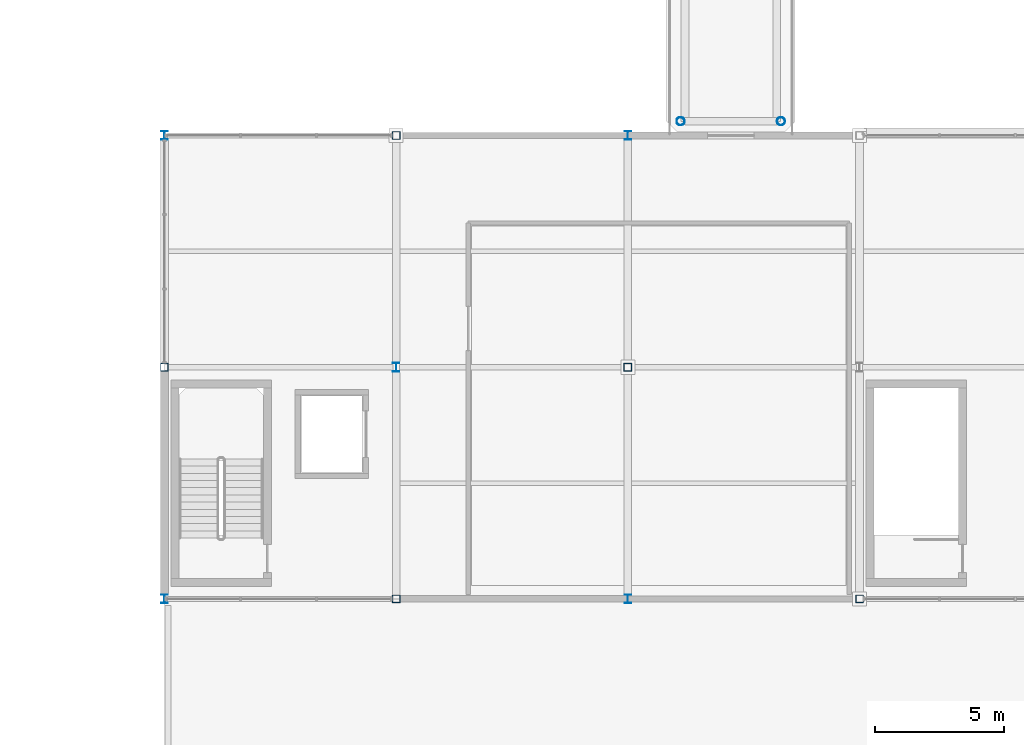
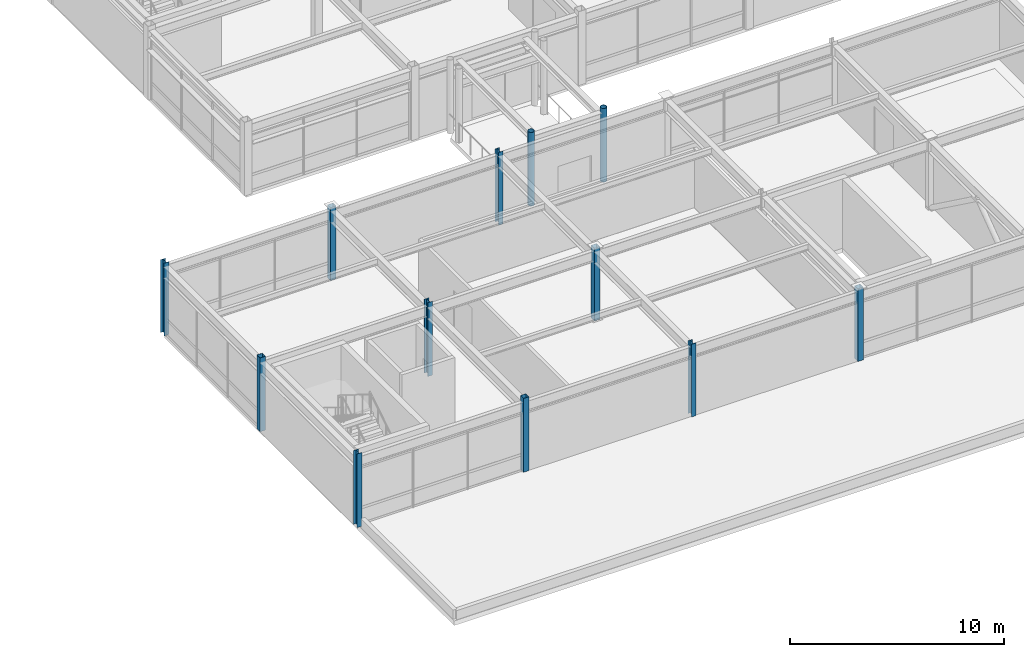
# One storey, part 10 of 70: 12 columns.
"""IFC4 building model written with IfcOpenShell, lengths in metres."""

from ifc_helpers import new_model, si_unit, direction, frame, origin, origin_2d, place, context, subcontext, project, spatial, hollow_rectangle, hollow_circle, i_section, extrude, material, material_profile, profile_set, type_object, element, save


model = new_model("IFC4")

# Units and contexts
model_context = context("Model", 3, precision=1e-05, world=origin(), true_north=direction((0.0, 1.0)))
body_context = subcontext(model_context, "Body", "Model", "MODEL_VIEW")
ifc_project = project(units=[si_unit("LENGTHUNIT", "METRE"), si_unit("AREAUNIT", "SQUARE_METRE"), si_unit("VOLUMEUNIT", "CUBIC_METRE"), si_unit("PLANEANGLEUNIT", "RADIAN"), si_unit("MASSUNIT", "GRAM", prefix="KILO")], contexts=[model_context])

# Site, building, storey
site_placement = place(None, origin())
site = spatial("IfcSite", under=ifc_project, at=site_placement, CompositionType="ELEMENT")
building_placement = place(site_placement, origin())
building = spatial("IfcBuilding", under=site, at=building_placement, Name="Suzunagisa Mobility Hub", CompositionType="ELEMENT")
storey_placement = place(building_placement, frame((0.0, 0.0, 13.5)))
storey = spatial("IfcBuildingStorey", under=building, at=storey_placement, Name="L03", CompositionType="ELEMENT", Elevation=13.5)

# Columns
ifc_material = material(Name="Steel SN490B", Category="steel")
ifc_material_profile_1 = material_profile(ifc_material, i_section(OverallWidth=0.25, OverallDepth=0.340087890625, WebThickness=0.009033203125, FlangeThickness=0.013916015625, FilletRadius=0.010009765625, at=origin_2d()), Name="H-340x250x9x14")
ifc_profile_set_1 = profile_set([ifc_material_profile_1], Name="Steel SN490B")
column_type_1 = type_object("IfcColumnType", Name="Steel Column CL-02 H-340x250x9x14", PredefinedType="COLUMN", material=ifc_profile_set_1)
column_1_placement = place(storey_placement, frame((135.0, 18.0, 0.0), z_axis=(0.0, 0.0, 1.0), x_axis=(1.0, 0.0, 0.0)))
element("IfcColumn", 1, at=column_1_placement, inside=storey, type_object=column_type_1, Name="L03 Column 244", PredefinedType="COLUMN", context=body_context, shape_type="SweptSolid", body=[
    extrude(i_section(OverallWidth=0.25, OverallDepth=0.340087890625, WebThickness=0.009033203125, FlangeThickness=0.013916015625, FilletRadius=0.010009765625, at=origin_2d()), origin(), (0.0, 0.0, 1.0), 4.199951171875),
])
column_2_placement = place(storey_placement, frame((135.0, 36.0, 0.0), z_axis=(0.0, 0.0, 1.0), x_axis=(1.0, 0.0, 0.0)))
element("IfcColumn", 2, at=column_2_placement, inside=storey, type_object=column_type_1, Name="L03 Column 246", PredefinedType="COLUMN", context=body_context, shape_type="SweptSolid", body=[
    extrude(i_section(OverallWidth=0.25, OverallDepth=0.340087890625, WebThickness=0.009033203125, FlangeThickness=0.013916015625, FilletRadius=0.010009765625, at=origin_2d()), origin(), (0.0, 0.0, 1.0), 4.139892578125),
])
column_3_placement = place(storey_placement, frame((144.0, 27.0, 0.0), z_axis=(0.0, 0.0, 1.0), x_axis=(1.0, 0.0, 0.0)))
element("IfcColumn", 3, at=column_3_placement, inside=storey, type_object=column_type_1, Name="L03 Column 254", PredefinedType="COLUMN", context=body_context, shape_type="SweptSolid", body=[
    extrude(i_section(OverallWidth=0.25, OverallDepth=0.340087890625, WebThickness=0.009033203125, FlangeThickness=0.013916015625, FilletRadius=0.010009765625, at=origin_2d()), origin(), (0.0, 0.0, 1.0), 4.199951171875),
])
for number, where, z_axis, x_axis, name in (
    (4, (153.0, 18.0, 0.0), (0.0, 0.0, 1.0), (1.0, 0.0, 0.0), "L03 Column 266"),
    (5, (153.0, 36.0, 0.0), (0.0, 0.0, 1.0), (1.0, 0.0, 0.0), "L03 Column 268"),
):
    element("IfcColumn", number, at=place(storey_placement, frame(where, z_axis=z_axis, x_axis=x_axis)), inside=storey, type_object=column_type_1, Name=name, PredefinedType="COLUMN", context=body_context, shape_type="SweptSolid", body=[
        extrude(i_section(OverallWidth=0.25, OverallDepth=0.340087890625, WebThickness=0.009033203125, FlangeThickness=0.013916015625, FilletRadius=0.010009765625, at=origin_2d()), origin(), (0.0, 0.0, 1.0), 4.139892578125),
    ])
ifc_material_profile_2 = material_profile(ifc_material, hollow_circle(Radius=0.1591796875, WallThickness=0.01025390625, at=origin_2d()), Name="CHS-318.5x10.3")
ifc_profile_set_2 = profile_set([ifc_material_profile_2], Name="Steel SN490B")
column_type_2 = type_object("IfcColumnType", Name="Steel Column CL-09 CHS-318.5x10.3", PredefinedType="COLUMN", material=ifc_profile_set_2)
for number, where, z_axis, x_axis, name in (
    (6, (155.050048828125, 36.550048828125, 0.0), (0.0, 0.0, 1.0), (1.0, 0.0, 0.0), "L03 Column 279"),
    (7, (158.949951171875, 36.550048828125, 0.0), (0.0, 0.0, 1.0), (1.0, 0.0, 0.0), "L03 Column 280"),
):
    element("IfcColumn", number, at=place(storey_placement, frame(where, z_axis=z_axis, x_axis=x_axis)), inside=storey, type_object=column_type_2, Name=name, PredefinedType="COLUMN", context=body_context, shape_type="SweptSolid", body=[
        extrude(hollow_circle(Radius=0.1591796875, WallThickness=0.01025390625, at=origin_2d()), origin(), (0.0, 0.0, 1.0), 4.199951171875),
    ])
ifc_material_profile_3 = material_profile(ifc_material, hollow_rectangle(XDim=0.300048828125, YDim=0.300048828125, WallThickness=0.011962890625, at=origin_2d()), Name="BCR-300x300x12")
ifc_profile_set_3 = profile_set([ifc_material_profile_3], Name="Steel SN490B")
column_type_3 = type_object("IfcColumnType", Name="Steel Column CL-12 BCR-300x300x12", PredefinedType="COLUMN", material=ifc_profile_set_3)
for number, where, z_axis, x_axis, name in (
    (8, (135.0, 27.0, 0.0), (0.0, 0.0, 1.0), (1.0, 0.0, 0.0), "L03 Column 245"),
    (9, (144.0, 18.0, 0.0), (0.0, 0.0, 1.0), (1.0, 0.0, 0.0), "L03 Column 253"),
):
    element("IfcColumn", number, at=place(storey_placement, frame(where, z_axis=z_axis, x_axis=x_axis)), inside=storey, type_object=column_type_3, Name=name, PredefinedType="COLUMN", context=body_context, shape_type="SweptSolid", body=[
        extrude(hollow_rectangle(XDim=0.300048828125, YDim=0.300048828125, WallThickness=0.011962890625, at=origin_2d()), origin(), (0.0, 0.0, 1.0), 4.199951171875),
    ])
for number, where, z_axis, x_axis, name in (
    (10, (144.0, 36.0, 0.0), (0.0, 0.0, 1.0), (1.0, 0.0, 0.0), "L03 Column 255"),
    (11, (153.0, 27.0, 0.0), (0.0, 0.0, 1.0), (1.0, 0.0, 0.0), "L03 Column 267"),
    (12, (162.0, 18.0, 0.0), (0.0, 0.0, 1.0), (1.0, 0.0, 0.0), "L03 Column 285"),
):
    element("IfcColumn", number, at=place(storey_placement, frame(where, z_axis=z_axis, x_axis=x_axis)), inside=storey, type_object=column_type_3, Name=name, PredefinedType="COLUMN", context=body_context, shape_type="SweptSolid", body=[
        extrude(hollow_rectangle(XDim=0.300048828125, YDim=0.300048828125, WallThickness=0.011962890625, at=origin_2d()), origin(), (0.0, 0.0, 1.0), 4.139892578125),
    ])

save(model, "model.ifc")
